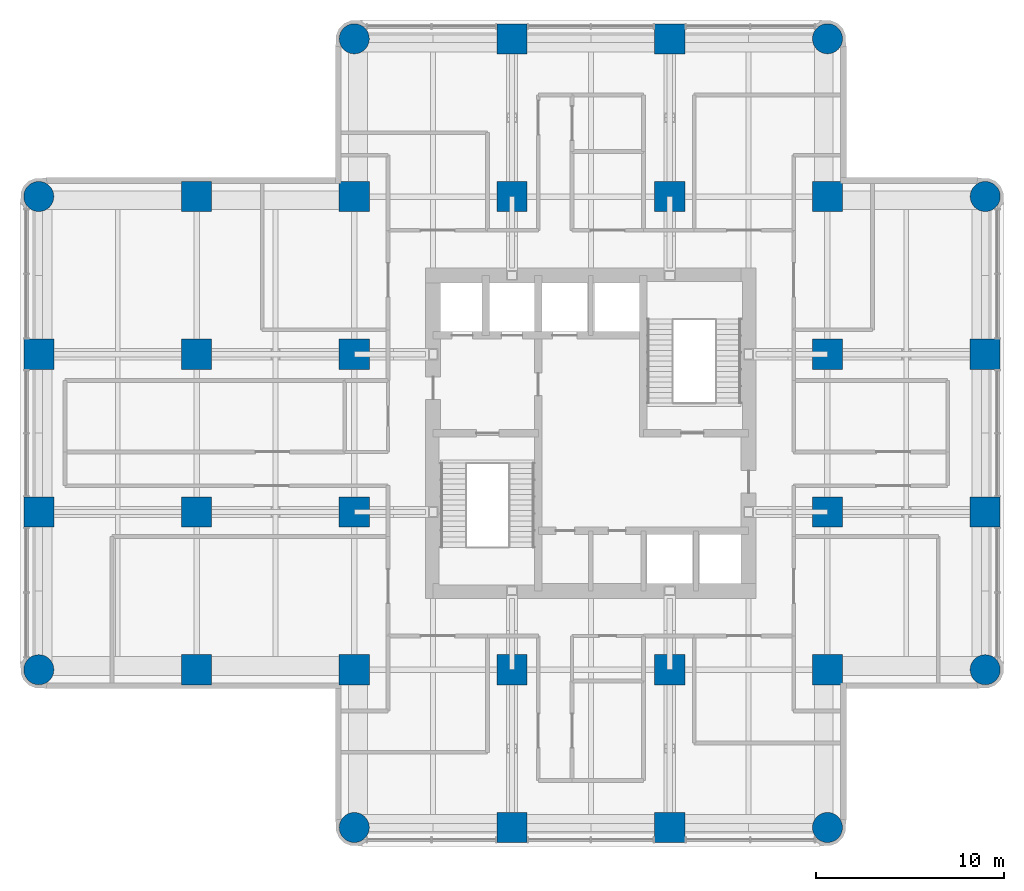
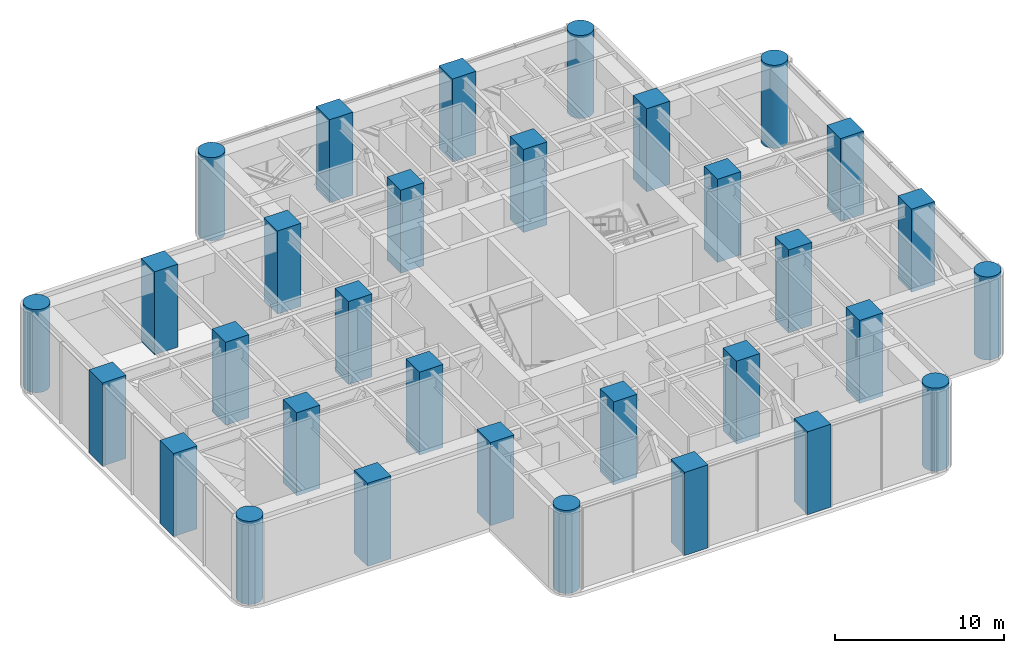
# One storey, part 1 of 12: 32 columns.
"""IFC4 building model written with IfcOpenShell, lengths in metres."""

from ifc_helpers import new_model, si_unit, direction, frame, origin, origin_2d, place, context, subcontext, project, spatial, rectangle, circle, extrude, material, material_profile, profile_set, type_object, element, save


model = new_model("IFC4")

# Units and contexts
model_context = context("Model", 3, precision=1e-05, world=origin(), true_north=direction((0.0, 1.0)))
body_context = subcontext(model_context, "Body", "Model", "MODEL_VIEW")
ifc_project = project(units=[si_unit("LENGTHUNIT", "METRE"), si_unit("AREAUNIT", "SQUARE_METRE"), si_unit("VOLUMEUNIT", "CUBIC_METRE"), si_unit("PLANEANGLEUNIT", "RADIAN"), si_unit("MASSUNIT", "GRAM", prefix="KILO")], contexts=[model_context])

# Site, building, storey
site_placement = place(None, origin())
site = spatial("IfcSite", under=ifc_project, at=site_placement, CompositionType="ELEMENT")
building_placement = place(site_placement, origin())
building = spatial("IfcBuilding", under=site, at=building_placement, Name="Torre Alcanfor", CompositionType="ELEMENT")
storey_placement = place(building_placement, frame((0.0, 0.0, 248.10009765625)))
storey = spatial("IfcBuildingStorey", under=building, at=storey_placement, Name="L65", CompositionType="ELEMENT", Elevation=248.10009765625)

# Columns
ifc_material_1 = material(Name="Concrete f'c 70 MPa", Category="concrete")
ifc_material_profile_1 = material_profile(ifc_material_1, rectangle(XDim=1.60009765625, YDim=1.60009765625, at=origin_2d()), Name="1600x1600")
ifc_profile_set_1 = profile_set([ifc_material_profile_1], Name="Concrete f'c 70 MPa")
column_type_1 = type_object("IfcColumnType", Name="RC column 1600x1600 f'c70", PredefinedType="COLUMN", material=ifc_profile_set_1)
for number, where, z_axis, x_axis, name in (
    (1, (0.0, 25.199951171875, 0.0), (0.0, 0.0, 1.0), (1.0, 0.0, 0.0), "Column 1/F L65"),
    (2, (0.0, 33.60009765625, 0.0), (0.0, 0.0, 1.0), (1.0, 0.0, 0.0), "Column 1/G L65"),
    (3, (8.39990234375, 16.800048828125, 0.0), (0.0, 0.0, 1.0), (1.0, 0.0, 0.0), "Column 2/E L65"),
    (4, (8.39990234375, 25.199951171875, 0.0), (0.0, 0.0, 1.0), (1.0, 0.0, 0.0), "Column 2/F L65"),
    (5, (8.39990234375, 33.60009765625, 0.0), (0.0, 0.0, 1.0), (1.0, 0.0, 0.0), "Column 2/G L65"),
    (6, (8.39990234375, 42.0, 0.0), (0.0, 0.0, 1.0), (1.0, 0.0, 0.0), "Column 2/H L65"),
    (7, (16.800048828125, 16.800048828125, 0.0), (0.0, 0.0, 1.0), (1.0, 0.0, 0.0), "Column 3/E L65"),
    (8, (16.800048828125, 25.199951171875, 0.0), (0.0, 0.0, 1.0), (1.0, 0.0, 0.0), "Column 3/F L65"),
    (9, (16.800048828125, 33.60009765625, 0.0), (0.0, 0.0, 1.0), (1.0, 0.0, 0.0), "Column 3/G L65"),
    (10, (16.800048828125, 42.0, 0.0), (0.0, 0.0, 1.0), (1.0, 0.0, 0.0), "Column 3/H L65"),
    (11, (25.199951171875, 8.39990234375, 0.0), (0.0, 0.0, 1.0), (1.0, 0.0, 0.0), "Column 4/D L65"),
    (12, (25.199951171875, 16.800048828125, 0.0), (0.0, 0.0, 1.0), (1.0, 0.0, 0.0), "Column 4/E L65"),
    (13, (25.199951171875, 42.0, 0.0), (0.0, 0.0, 1.0), (1.0, 0.0, 0.0), "Column 4/H L65"),
    (14, (25.199951171875, 50.39990234375, 0.0), (0.0, 0.0, 1.0), (1.0, 0.0, 0.0), "Column 4/J L65"),
    (15, (33.60009765625, 8.39990234375, 0.0), (0.0, 0.0, 1.0), (1.0, 0.0, 0.0), "Column 5/D L65"),
    (16, (33.60009765625, 16.800048828125, 0.0), (0.0, 0.0, 1.0), (1.0, 0.0, 0.0), "Column 5/E L65"),
    (17, (33.60009765625, 42.0, 0.0), (0.0, 0.0, 1.0), (1.0, 0.0, 0.0), "Column 5/H L65"),
    (18, (33.60009765625, 50.39990234375, 0.0), (0.0, 0.0, 1.0), (1.0, 0.0, 0.0), "Column 5/J L65"),
    (19, (42.0, 16.800048828125, 0.0), (0.0, 0.0, 1.0), (1.0, 0.0, 0.0), "Column 6/E L65"),
    (20, (42.0, 25.199951171875, 0.0), (0.0, 0.0, 1.0), (1.0, 0.0, 0.0), "Column 6/F L65"),
    (21, (42.0, 33.60009765625, 0.0), (0.0, 0.0, 1.0), (1.0, 0.0, 0.0), "Column 6/G L65"),
    (22, (42.0, 42.0, 0.0), (0.0, 0.0, 1.0), (1.0, 0.0, 0.0), "Column 6/H L65"),
    (23, (50.39990234375, 25.199951171875, 0.0), (0.0, 0.0, 1.0), (1.0, 0.0, 0.0), "Column 7/F L65"),
    (24, (50.39990234375, 33.60009765625, 0.0), (0.0, 0.0, 1.0), (1.0, 0.0, 0.0), "Column 7/G L65"),
):
    element("IfcColumn", number, at=place(storey_placement, frame(where, z_axis=z_axis, x_axis=x_axis)), inside=storey, type_object=column_type_1, Name=name, PredefinedType="COLUMN", context=body_context, shape_type="SweptSolid", body=[
        extrude(rectangle(XDim=1.60009765625, YDim=1.60009765625, at=origin_2d()), origin(), (0.0, 0.0, 1.0), 6.0),
    ])
ifc_material_2 = material(Name="Concrete f'c 70 MPa", Category="concrete")
ifc_material_profile_2 = material_profile(ifc_material_2, circle(Radius=0.800048828125, at=origin_2d()), Name="D1600")
ifc_profile_set_2 = profile_set([ifc_material_profile_2], Name="Concrete f'c 70 MPa")
column_type_2 = type_object("IfcColumnType", Name="RC column D1600 f'c70", PredefinedType="COLUMN", material=ifc_profile_set_2)
for number, where, z_axis, x_axis, name in (
    (25, (0.0, 16.800048828125, 0.0), (0.0, 0.0, 1.0), (1.0, 0.0, 0.0), "Column 1/E L65"),
    (26, (0.0, 42.0, 0.0), (0.0, 0.0, 1.0), (1.0, 0.0, 0.0), "Column 1/H L65"),
    (27, (16.800048828125, 8.39990234375, 0.0), (0.0, 0.0, 1.0), (1.0, 0.0, 0.0), "Column 3/D L65"),
    (28, (16.800048828125, 50.39990234375, 0.0), (0.0, 0.0, 1.0), (1.0, 0.0, 0.0), "Column 3/J L65"),
    (29, (42.0, 8.39990234375, 0.0), (0.0, 0.0, 1.0), (1.0, 0.0, 0.0), "Column 6/D L65"),
    (30, (42.0, 50.39990234375, 0.0), (0.0, 0.0, 1.0), (1.0, 0.0, 0.0), "Column 6/J L65"),
    (31, (50.39990234375, 16.800048828125, 0.0), (0.0, 0.0, 1.0), (1.0, 0.0, 0.0), "Column 7/E L65"),
    (32, (50.39990234375, 42.0, 0.0), (0.0, 0.0, 1.0), (1.0, 0.0, 0.0), "Column 7/H L65"),
):
    element("IfcColumn", number, at=place(storey_placement, frame(where, z_axis=z_axis, x_axis=x_axis)), inside=storey, type_object=column_type_2, Name=name, PredefinedType="COLUMN", context=body_context, shape_type="SweptSolid", body=[
        extrude(circle(Radius=0.800048828125, at=origin_2d()), origin(), (0.0, 0.0, 1.0), 6.0),
    ])

save(model, "model.ifc")
